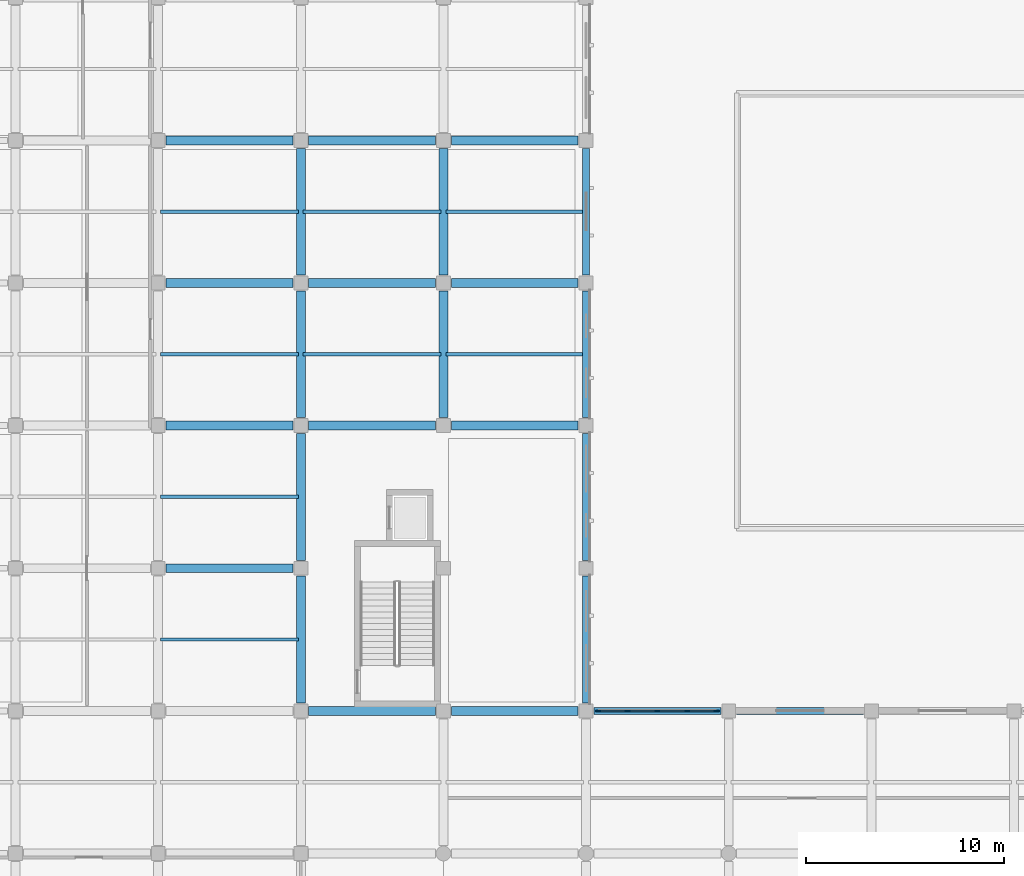
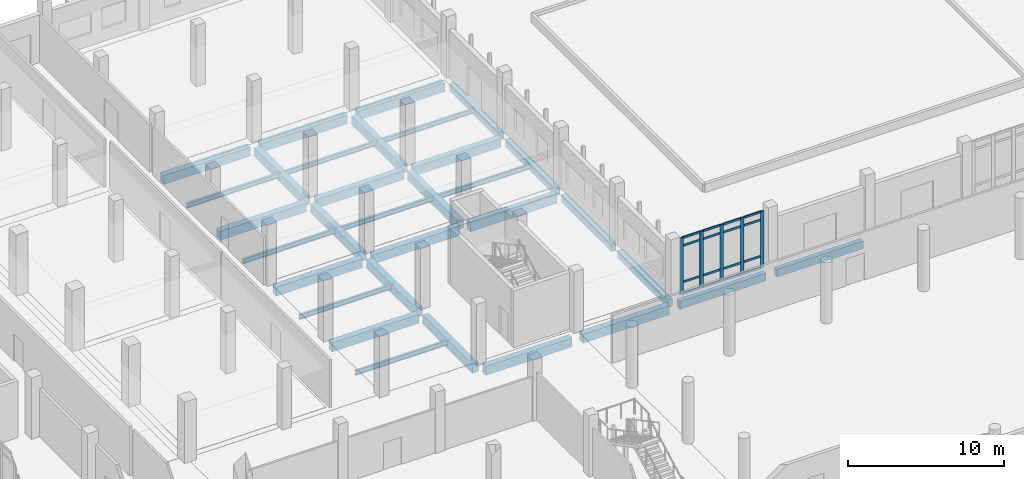
# One storey, part 22 of 59: 32 beams, 21 members, 1 element without a shape of its own.
"""IFC4 building model written with IfcOpenShell, lengths in metres."""

from ifc_helpers import new_model, si_unit, direction, frame, origin, origin_2d, place, context, subcontext, project, spatial, rectangle, i_section, extrude, material, layer, layer_set, material_profile, profile_set, type_object, element, aggregate, save


model = new_model("IFC4")

# Units and contexts
model_context = context("Model", 3, precision=1e-05, world=origin(), true_north=direction((0.0, 1.0)))
body_context = subcontext(model_context, "Body", "Model", "MODEL_VIEW")
ifc_project = project(units=[si_unit("LENGTHUNIT", "METRE"), si_unit("AREAUNIT", "SQUARE_METRE"), si_unit("VOLUMEUNIT", "CUBIC_METRE"), si_unit("PLANEANGLEUNIT", "RADIAN"), si_unit("MASSUNIT", "GRAM", prefix="KILO")], contexts=[model_context])

# Site, building, storey
site_placement = place(None, origin())
site = spatial("IfcSite", under=ifc_project, at=site_placement, CompositionType="ELEMENT")
building_placement = place(site_placement, origin())
building = spatial("IfcBuilding", under=site, at=building_placement, Name="Valkovuoma Quantum and Materials Research Institute", CompositionType="ELEMENT")
storey_placement = place(building_placement, origin())
storey = spatial("IfcBuildingStorey", under=building, at=storey_placement, Name="L00", CompositionType="ELEMENT", Elevation=0.0)

# Beams
ifc_material_1 = material(Name="Steel S355J2", Category="steel")
ifc_material_profile_1 = material_profile(ifc_material_1, i_section(OverallWidth=0.169921875, OverallDepth=0.360107421875, WebThickness=0.008056640625, FlangeThickness=0.0126953125, FilletRadius=0.01806640625, at=origin_2d()), Name="Steel S355J2")
ifc_profile_set_1 = profile_set([ifc_material_profile_1], Name="Steel S355J2")
beam_type_1 = type_object("IfcBeamType", Name="Beam-B-JST360", PredefinedType="JOIST", material=ifc_profile_set_1)
for number, where, z_axis, x_axis, name in (
    (1, (28.919921875, 68.39990234375, -0.580078125), (1.0, 0.0, 0.0), (0.0, 1.0, 0.0), "L00 floor joist 0491"),
    (2, (28.919921875, 75.60009765625, -0.580078125), (1.0, 0.0, 0.0), (0.0, 1.0, 0.0), "L00 floor joist 0498"),
    (3, (28.919921875, 82.800048828125, -0.580078125), (1.0, 0.0, 0.0), (0.0, 1.0, 0.0), "L00 floor joist 0506"),
    (4, (36.1201171875, 82.800048828125, -0.580078125), (1.0, 0.0, 0.0), (0.0, 1.0, 0.0), "L00 floor joist 0507"),
    (5, (43.320068359375, 82.800048828125, -0.580078125), (1.0, 0.0, 0.0), (0.0, 1.0, 0.0), "L00 floor joist 0508"),
    (6, (28.919921875, 90.0, -0.580078125), (1.0, 0.0, 0.0), (0.0, 1.0, 0.0), "L00 floor joist 0517"),
    (7, (36.1201171875, 90.0, -0.580078125), (1.0, 0.0, 0.0), (0.0, 1.0, 0.0), "L00 floor joist 0518"),
    (8, (43.320068359375, 90.0, -0.580078125), (1.0, 0.0, 0.0), (0.0, 1.0, 0.0), "L00 floor joist 0519"),
):
    element("IfcBeam", number, at=place(storey_placement, frame(where, z_axis=z_axis, x_axis=x_axis)), inside=storey, type_object=beam_type_1, Name=name, PredefinedType="JOIST", context=body_context, shape_type="SweptSolid", body=[
        extrude(i_section(OverallWidth=0.169921875, OverallDepth=0.360107421875, WebThickness=0.008056640625, FlangeThickness=0.0126953125, FilletRadius=0.01806640625, at=origin_2d()), origin(), (0.0, 0.0, 1.0), 6.9599609375),
    ])
ifc_material_2 = material(Name="Concrete C40/50", Category="concrete")
ifc_material_profile_2 = material_profile(ifc_material_2, rectangle(XDim=0.449951171875, YDim=0.699951171875, at=origin_2d()), Name="Concrete C40/50")
ifc_profile_set_2 = profile_set([ifc_material_profile_2], Name="Concrete C40/50")
beam_type_2 = type_object("IfcBeamType", Name="Beam-B-RC700", PredefinedType="BEAM", material=ifc_profile_set_2)
beam_1_placement = place(storey_placement, frame((36.39990234375, 64.800048828125, -0.75), z_axis=(1.0, 0.0, 0.0), x_axis=(0.0, 1.0, 0.0)))
element("IfcBeam", 9, at=beam_1_placement, inside=storey, type_object=beam_type_2, Name="L00 beam X-0117", PredefinedType="BEAM", context=body_context, shape_type="SweptSolid", body=[
    extrude(rectangle(XDim=0.449951171875, YDim=0.699951171875, at=origin_2d()), origin(), (0.0, 0.0, 1.0), 6.400146484375),
])
beam_2_placement = place(storey_placement, frame((43.60009765625, 64.800048828125, -0.75), z_axis=(1.0, 0.0, 0.0), x_axis=(0.0, 1.0, 0.0)))
element("IfcBeam", 10, at=beam_2_placement, inside=storey, type_object=beam_type_2, Name="L00 beam X-0118", PredefinedType="BEAM", context=body_context, shape_type="SweptSolid", body=[
    extrude(rectangle(XDim=0.449951171875, YDim=0.699951171875, at=origin_2d()), origin(), (0.0, 0.0, 1.0), 6.39990234375),
])
for number, where, z_axis, x_axis, name in (
    (11, (29.199951171875, 72.0, -0.75), (1.0, 0.0, 0.0), (0.0, 1.0, 0.0), "L00 beam X-0135"),
    (12, (29.199951171875, 79.199951171875, -0.75), (1.0, 0.0, 0.0), (0.0, 1.0, 0.0), "L00 beam X-0143"),
    (13, (36.39990234375, 79.199951171875, -0.75), (1.0, 0.0, 0.0), (0.0, 1.0, 0.0), "L00 beam X-0144"),
):
    element("IfcBeam", number, at=place(storey_placement, frame(where, z_axis=z_axis, x_axis=x_axis)), inside=storey, type_object=beam_type_2, Name=name, PredefinedType="BEAM", context=body_context, shape_type="SweptSolid", body=[
        extrude(rectangle(XDim=0.449951171875, YDim=0.699951171875, at=origin_2d()), origin(), (0.0, 0.0, 1.0), 6.400146484375),
    ])
beam_3_placement = place(storey_placement, frame((43.60009765625, 79.199951171875, -0.75), z_axis=(1.0, 0.0, 0.0), x_axis=(0.0, 1.0, 0.0)))
element("IfcBeam", 14, at=beam_3_placement, inside=storey, type_object=beam_type_2, Name="L00 beam X-0145", PredefinedType="BEAM", context=body_context, shape_type="SweptSolid", body=[
    extrude(rectangle(XDim=0.449951171875, YDim=0.699951171875, at=origin_2d()), origin(), (0.0, 0.0, 1.0), 6.39990234375),
])
for number, where, z_axis, x_axis, name in (
    (15, (29.199951171875, 86.39990234375, -0.75), (1.0, 0.0, 0.0), (0.0, 1.0, 0.0), "L00 beam X-0155"),
    (16, (36.39990234375, 86.39990234375, -0.75), (1.0, 0.0, 0.0), (0.0, 1.0, 0.0), "L00 beam X-0156"),
):
    element("IfcBeam", number, at=place(storey_placement, frame(where, z_axis=z_axis, x_axis=x_axis)), inside=storey, type_object=beam_type_2, Name=name, PredefinedType="BEAM", context=body_context, shape_type="SweptSolid", body=[
        extrude(rectangle(XDim=0.449951171875, YDim=0.699951171875, at=origin_2d()), origin(), (0.0, 0.0, 1.0), 6.400146484375),
    ])
beam_4_placement = place(storey_placement, frame((43.60009765625, 86.39990234375, -0.75), z_axis=(1.0, 0.0, 0.0), x_axis=(0.0, 1.0, 0.0)))
element("IfcBeam", 17, at=beam_4_placement, inside=storey, type_object=beam_type_2, Name="L00 beam X-0157", PredefinedType="BEAM", context=body_context, shape_type="SweptSolid", body=[
    extrude(rectangle(XDim=0.449951171875, YDim=0.699951171875, at=origin_2d()), origin(), (0.0, 0.0, 1.0), 6.39990234375),
])
for number, where, z_axis, x_axis, name in (
    (18, (29.199951171875, 93.60009765625, -0.75), (1.0, 0.0, 0.0), (0.0, 1.0, 0.0), "L00 beam X-0167"),
    (19, (36.39990234375, 93.60009765625, -0.75), (1.0, 0.0, 0.0), (0.0, 1.0, 0.0), "L00 beam X-0168"),
):
    element("IfcBeam", number, at=place(storey_placement, frame(where, z_axis=z_axis, x_axis=x_axis)), inside=storey, type_object=beam_type_2, Name=name, PredefinedType="BEAM", context=body_context, shape_type="SweptSolid", body=[
        extrude(rectangle(XDim=0.449951171875, YDim=0.699951171875, at=origin_2d()), origin(), (0.0, 0.0, 1.0), 6.400146484375),
    ])
beam_5_placement = place(storey_placement, frame((43.60009765625, 93.60009765625, -0.75), z_axis=(1.0, 0.0, 0.0), x_axis=(0.0, 1.0, 0.0)))
element("IfcBeam", 20, at=beam_5_placement, inside=storey, type_object=beam_type_2, Name="L00 beam X-0169", PredefinedType="BEAM", context=body_context, shape_type="SweptSolid", body=[
    extrude(rectangle(XDim=0.449951171875, YDim=0.699951171875, at=origin_2d()), origin(), (0.0, 0.0, 1.0), 6.39990234375),
])
for number, where, z_axis, x_axis, name in (
    (21, (36.0, 65.199951171875, -0.75), (0.0, 1.0, 0.0), (-1.0, 0.0, 0.0), "L00 beam Y-0240"),
    (22, (36.0, 72.39990234375, -0.75), (0.0, 1.0, 0.0), (-1.0, 0.0, 0.0), "L00 beam Y-0241"),
):
    element("IfcBeam", number, at=place(storey_placement, frame(where, z_axis=z_axis, x_axis=x_axis)), inside=storey, type_object=beam_type_2, Name=name, PredefinedType="BEAM", context=body_context, shape_type="SweptSolid", body=[
        extrude(rectangle(XDim=0.449951171875, YDim=0.699951171875, at=origin_2d()), origin(), (0.0, 0.0, 1.0), 6.400146484375),
    ])
for number, where, z_axis, x_axis, name in (
    (23, (36.0, 79.60009765625, -0.75), (0.0, 1.0, 0.0), (-1.0, 0.0, 0.0), "L00 beam Y-0242"),
    (24, (36.0, 86.800048828125, -0.75), (0.0, 1.0, 0.0), (-1.0, 0.0, 0.0), "L00 beam Y-0243"),
    (25, (43.199951171875, 79.60009765625, -0.75), (0.0, 1.0, 0.0), (-1.0, 0.0, 0.0), "L00 beam Y-0248"),
    (26, (43.199951171875, 86.800048828125, -0.75), (0.0, 1.0, 0.0), (-1.0, 0.0, 0.0), "L00 beam Y-0249"),
):
    element("IfcBeam", number, at=place(storey_placement, frame(where, z_axis=z_axis, x_axis=x_axis)), inside=storey, type_object=beam_type_2, Name=name, PredefinedType="BEAM", context=body_context, shape_type="SweptSolid", body=[
        extrude(rectangle(XDim=0.449951171875, YDim=0.699951171875, at=origin_2d()), origin(), (0.0, 0.0, 1.0), 6.39990234375),
    ])
ifc_material_3 = material(Name="Concrete C40/50", Category="concrete")
ifc_material_profile_3 = material_profile(ifc_material_3, rectangle(XDim=0.35009765625, YDim=0.60009765625, at=origin_2d()), Name="Concrete C40/50")
ifc_profile_set_3 = profile_set([ifc_material_profile_3], Name="Concrete C40/50")
beam_type_3 = type_object("IfcBeamType", Name="Beam-B-SPN600", PredefinedType="SPANDREL", material=ifc_profile_set_3)
for number, where, z_axis, x_axis, name in (
    (27, (50.800048828125, 64.800048828125, -0.699951171875), (1.0, 0.0, 0.0), (0.0, 1.0, 0.0), "L00 beam X-0119"),
    (28, (58.0, 64.800048828125, -0.699951171875), (1.0, 0.0, 0.0), (0.0, 1.0, 0.0), "L00 beam X-0120"),
):
    element("IfcBeam", number, at=place(storey_placement, frame(where, z_axis=z_axis, x_axis=x_axis)), inside=storey, type_object=beam_type_3, Name=name, PredefinedType="SPANDREL", context=body_context, shape_type="SweptSolid", body=[
        extrude(rectangle(XDim=0.35009765625, YDim=0.60009765625, at=origin_2d()), origin(), (0.0, 0.0, 1.0), 6.39990234375),
    ])
for number, where, z_axis, x_axis, name in (
    (29, (50.39990234375, 65.199951171875, -0.699951171875), (0.0, 1.0, 0.0), (-1.0, 0.0, 0.0), "L00 beam Y-0256"),
    (30, (50.39990234375, 72.39990234375, -0.699951171875), (0.0, 1.0, 0.0), (-1.0, 0.0, 0.0), "L00 beam Y-0257"),
):
    element("IfcBeam", number, at=place(storey_placement, frame(where, z_axis=z_axis, x_axis=x_axis)), inside=storey, type_object=beam_type_3, Name=name, PredefinedType="SPANDREL", context=body_context, shape_type="SweptSolid", body=[
        extrude(rectangle(XDim=0.35009765625, YDim=0.60009765625, at=origin_2d()), origin(), (0.0, 0.0, 1.0), 6.400146484375),
    ])
for number, where, z_axis, x_axis, name in (
    (31, (50.39990234375, 79.60009765625, -0.699951171875), (0.0, 1.0, 0.0), (-1.0, 0.0, 0.0), "L00 beam Y-0258"),
    (32, (50.39990234375, 86.800048828125, -0.699951171875), (0.0, 1.0, 0.0), (-1.0, 0.0, 0.0), "L00 beam Y-0259"),
):
    element("IfcBeam", number, at=place(storey_placement, frame(where, z_axis=z_axis, x_axis=x_axis)), inside=storey, type_object=beam_type_3, Name=name, PredefinedType="SPANDREL", context=body_context, shape_type="SweptSolid", body=[
        extrude(rectangle(XDim=0.35009765625, YDim=0.60009765625, at=origin_2d()), origin(), (0.0, 0.0, 1.0), 6.39990234375),
    ])

# Curtain wall, members
ifc_material_4 = material(Name="Thermally broken aluminium and triple low-E glazing", Category="aluminium")
ifc_layer = layer(ifc_material_4, 0.219970703125)
ifc_layer_set = layer_set([ifc_layer], Name="Thermally broken aluminium and triple low-E glazing")
curtain_wall_type = type_object("IfcCurtainWallType", Name="CW-CW-02", PredefinedType="NOTDEFINED", material=ifc_layer_set)
curtain_wall_placement = place(storey_placement, origin())
curtain_wall = element("IfcCurtainWall", 33, at=curtain_wall_placement, inside=storey, type_object=curtain_wall_type, Name="L00 curtain wall 155", PredefinedType="NOTDEFINED")
ifc_material_5 = material(Name="Anodised aluminium 6060-T66", Category="aluminium")
ifc_material_profile_4 = material_profile(ifc_material_5, rectangle(XDim=0.080078125, YDim=0.260009765625, at=origin_2d()), Name="Anodised aluminium 6060-T66")
ifc_profile_set_4 = profile_set([ifc_material_profile_4], Name="Anodised aluminium 6060-T66")
member_type_1 = type_object("IfcMemberType", Name="CWMull-CWM-03", PredefinedType="MULLION", material=ifc_profile_set_4)
member_1_placement = place(storey_placement, frame((51.02001953125, 64.800048828125, 0.0), z_axis=(0.0, 0.0, 1.0), x_axis=(0.0, 1.0, 0.0)))
member_1 = element("IfcMember", 34, at=member_1_placement, type_object=member_type_1, Name="CW-02 mullion 1", PredefinedType="MULLION", context=body_context, shape_type="SweptSolid", body=[
    extrude(rectangle(XDim=0.080078125, YDim=0.260009765625, at=origin_2d()), origin(), (0.0, 0.0, 1.0), 4.449951171875),
])
member_2_placement = place(storey_placement, frame((52.489990234375, 64.800048828125, 0.0), z_axis=(0.0, 0.0, 1.0), x_axis=(0.0, 1.0, 0.0)))
member_2 = element("IfcMember", 35, at=member_2_placement, type_object=member_type_1, Name="CW-02 mullion 2", PredefinedType="MULLION", context=body_context, shape_type="SweptSolid", body=[
    extrude(rectangle(XDim=0.080078125, YDim=0.260009765625, at=origin_2d()), origin(), (0.0, 0.0, 1.0), 4.449951171875),
])
member_3_placement = place(storey_placement, frame((54.0, 64.800048828125, 0.0), z_axis=(0.0, 0.0, 1.0), x_axis=(0.0, 1.0, 0.0)))
member_3 = element("IfcMember", 36, at=member_3_placement, type_object=member_type_1, Name="CW-02 mullion 3", PredefinedType="MULLION", context=body_context, shape_type="SweptSolid", body=[
    extrude(rectangle(XDim=0.080078125, YDim=0.260009765625, at=origin_2d()), origin(), (0.0, 0.0, 1.0), 4.449951171875),
])
member_4_placement = place(storey_placement, frame((55.510009765625, 64.800048828125, 0.0), z_axis=(0.0, 0.0, 1.0), x_axis=(0.0, 1.0, 0.0)))
member_4 = element("IfcMember", 37, at=member_4_placement, type_object=member_type_1, Name="CW-02 mullion 4", PredefinedType="MULLION", context=body_context, shape_type="SweptSolid", body=[
    extrude(rectangle(XDim=0.080078125, YDim=0.260009765625, at=origin_2d()), origin(), (0.0, 0.0, 1.0), 4.449951171875),
])
member_5_placement = place(storey_placement, frame((56.97998046875, 64.800048828125, 0.0), z_axis=(0.0, 0.0, 1.0), x_axis=(0.0, 1.0, 0.0)))
member_5 = element("IfcMember", 38, at=member_5_placement, type_object=member_type_1, Name="CW-02 mullion 5", PredefinedType="MULLION", context=body_context, shape_type="SweptSolid", body=[
    extrude(rectangle(XDim=0.080078125, YDim=0.260009765625, at=origin_2d()), origin(), (0.0, 0.0, 1.0), 4.449951171875),
])
ifc_material_6 = material(Name="Anodised aluminium 6060-T66", Category="aluminium")
ifc_material_profile_5 = material_profile(ifc_material_6, rectangle(XDim=0.074951171875, YDim=0.159912109375, at=origin_2d()), Name="Anodised aluminium 6060-T66")
ifc_profile_set_5 = profile_set([ifc_material_profile_5], Name="Anodised aluminium 6060-T66")
member_type_2 = type_object("IfcMemberType", Name="CWTran-CWT-02", PredefinedType="USERDEFINED", material=ifc_profile_set_5)
member_6_placement = place(storey_placement, frame((51.06005859375, 64.800048828125, 0.03759765625), z_axis=(1.0, 0.0, 0.0), x_axis=(0.0, 1.0, 0.0)))
member_6 = element("IfcMember", 39, at=member_6_placement, type_object=member_type_2, Name="CW-02 transom 1.1", ObjectType="TRANSOM", PredefinedType="USERDEFINED", context=body_context, shape_type="SweptSolid", body=[
    extrude(rectangle(XDim=0.074951171875, YDim=0.159912109375, at=origin_2d()), origin(), (0.0, 0.0, 1.0), 1.389892578125),
])
member_7_placement = place(storey_placement, frame((51.06005859375, 64.800048828125, 0.949951171875), z_axis=(1.0, 0.0, 0.0), x_axis=(0.0, 1.0, 0.0)))
member_7 = element("IfcMember", 40, at=member_7_placement, type_object=member_type_2, Name="CW-02 transom 1.2", ObjectType="TRANSOM", PredefinedType="USERDEFINED", context=body_context, shape_type="SweptSolid", body=[
    extrude(rectangle(XDim=0.074951171875, YDim=0.159912109375, at=origin_2d()), origin(), (0.0, 0.0, 1.0), 1.389892578125),
])
member_8_placement = place(storey_placement, frame((51.06005859375, 64.800048828125, 3.800048828125), z_axis=(1.0, 0.0, 0.0), x_axis=(0.0, 1.0, 0.0)))
member_8 = element("IfcMember", 41, at=member_8_placement, type_object=member_type_2, Name="CW-02 transom 1.3", ObjectType="TRANSOM", PredefinedType="USERDEFINED", context=body_context, shape_type="SweptSolid", body=[
    extrude(rectangle(XDim=0.074951171875, YDim=0.159912109375, at=origin_2d()), origin(), (0.0, 0.0, 1.0), 1.389892578125),
])
member_9_placement = place(storey_placement, frame((51.06005859375, 64.800048828125, 4.41259765625), z_axis=(1.0, 0.0, 0.0), x_axis=(0.0, 1.0, 0.0)))
member_9 = element("IfcMember", 42, at=member_9_placement, type_object=member_type_2, Name="CW-02 transom 1.4", ObjectType="TRANSOM", PredefinedType="USERDEFINED", context=body_context, shape_type="SweptSolid", body=[
    extrude(rectangle(XDim=0.074951171875, YDim=0.159912109375, at=origin_2d()), origin(), (0.0, 0.0, 1.0), 1.389892578125),
])
member_10_placement = place(storey_placement, frame((52.530029296875, 64.800048828125, 0.03759765625), z_axis=(1.0, 0.0, 0.0), x_axis=(0.0, 1.0, 0.0)))
member_10 = element("IfcMember", 43, at=member_10_placement, type_object=member_type_2, Name="CW-02 transom 2.1", ObjectType="TRANSOM", PredefinedType="USERDEFINED", context=body_context, shape_type="SweptSolid", body=[
    extrude(rectangle(XDim=0.074951171875, YDim=0.159912109375, at=origin_2d()), origin(), (0.0, 0.0, 1.0), 1.429931640625),
])
member_11_placement = place(storey_placement, frame((52.530029296875, 64.800048828125, 0.949951171875), z_axis=(1.0, 0.0, 0.0), x_axis=(0.0, 1.0, 0.0)))
member_11 = element("IfcMember", 44, at=member_11_placement, type_object=member_type_2, Name="CW-02 transom 2.2", ObjectType="TRANSOM", PredefinedType="USERDEFINED", context=body_context, shape_type="SweptSolid", body=[
    extrude(rectangle(XDim=0.074951171875, YDim=0.159912109375, at=origin_2d()), origin(), (0.0, 0.0, 1.0), 1.429931640625),
])
member_12_placement = place(storey_placement, frame((52.530029296875, 64.800048828125, 3.800048828125), z_axis=(1.0, 0.0, 0.0), x_axis=(0.0, 1.0, 0.0)))
member_12 = element("IfcMember", 45, at=member_12_placement, type_object=member_type_2, Name="CW-02 transom 2.3", ObjectType="TRANSOM", PredefinedType="USERDEFINED", context=body_context, shape_type="SweptSolid", body=[
    extrude(rectangle(XDim=0.074951171875, YDim=0.159912109375, at=origin_2d()), origin(), (0.0, 0.0, 1.0), 1.429931640625),
])
member_13_placement = place(storey_placement, frame((52.530029296875, 64.800048828125, 4.41259765625), z_axis=(1.0, 0.0, 0.0), x_axis=(0.0, 1.0, 0.0)))
member_13 = element("IfcMember", 46, at=member_13_placement, type_object=member_type_2, Name="CW-02 transom 2.4", ObjectType="TRANSOM", PredefinedType="USERDEFINED", context=body_context, shape_type="SweptSolid", body=[
    extrude(rectangle(XDim=0.074951171875, YDim=0.159912109375, at=origin_2d()), origin(), (0.0, 0.0, 1.0), 1.429931640625),
])
member_14_placement = place(storey_placement, frame((54.0400390625, 64.800048828125, 0.03759765625), z_axis=(1.0, 0.0, 0.0), x_axis=(0.0, 1.0, 0.0)))
member_14 = element("IfcMember", 47, at=member_14_placement, type_object=member_type_2, Name="CW-02 transom 3.1", ObjectType="TRANSOM", PredefinedType="USERDEFINED", context=body_context, shape_type="SweptSolid", body=[
    extrude(rectangle(XDim=0.074951171875, YDim=0.159912109375, at=origin_2d()), origin(), (0.0, 0.0, 1.0), 1.429931640625),
])
member_15_placement = place(storey_placement, frame((54.0400390625, 64.800048828125, 0.949951171875), z_axis=(1.0, 0.0, 0.0), x_axis=(0.0, 1.0, 0.0)))
member_15 = element("IfcMember", 48, at=member_15_placement, type_object=member_type_2, Name="CW-02 transom 3.2", ObjectType="TRANSOM", PredefinedType="USERDEFINED", context=body_context, shape_type="SweptSolid", body=[
    extrude(rectangle(XDim=0.074951171875, YDim=0.159912109375, at=origin_2d()), origin(), (0.0, 0.0, 1.0), 1.429931640625),
])
member_16_placement = place(storey_placement, frame((54.0400390625, 64.800048828125, 3.800048828125), z_axis=(1.0, 0.0, 0.0), x_axis=(0.0, 1.0, 0.0)))
member_16 = element("IfcMember", 49, at=member_16_placement, type_object=member_type_2, Name="CW-02 transom 3.3", ObjectType="TRANSOM", PredefinedType="USERDEFINED", context=body_context, shape_type="SweptSolid", body=[
    extrude(rectangle(XDim=0.074951171875, YDim=0.159912109375, at=origin_2d()), origin(), (0.0, 0.0, 1.0), 1.429931640625),
])
member_17_placement = place(storey_placement, frame((54.0400390625, 64.800048828125, 4.41259765625), z_axis=(1.0, 0.0, 0.0), x_axis=(0.0, 1.0, 0.0)))
member_17 = element("IfcMember", 50, at=member_17_placement, type_object=member_type_2, Name="CW-02 transom 3.4", ObjectType="TRANSOM", PredefinedType="USERDEFINED", context=body_context, shape_type="SweptSolid", body=[
    extrude(rectangle(XDim=0.074951171875, YDim=0.159912109375, at=origin_2d()), origin(), (0.0, 0.0, 1.0), 1.429931640625),
])
member_18_placement = place(storey_placement, frame((55.550048828125, 64.800048828125, 0.03759765625), z_axis=(1.0, 0.0, 0.0), x_axis=(0.0, 1.0, 0.0)))
member_18 = element("IfcMember", 51, at=member_18_placement, type_object=member_type_2, Name="CW-02 transom 4.1", ObjectType="TRANSOM", PredefinedType="USERDEFINED", context=body_context, shape_type="SweptSolid", body=[
    extrude(rectangle(XDim=0.074951171875, YDim=0.159912109375, at=origin_2d()), origin(), (0.0, 0.0, 1.0), 1.389892578125),
])
member_19_placement = place(storey_placement, frame((55.550048828125, 64.800048828125, 0.949951171875), z_axis=(1.0, 0.0, 0.0), x_axis=(0.0, 1.0, 0.0)))
member_19 = element("IfcMember", 52, at=member_19_placement, type_object=member_type_2, Name="CW-02 transom 4.2", ObjectType="TRANSOM", PredefinedType="USERDEFINED", context=body_context, shape_type="SweptSolid", body=[
    extrude(rectangle(XDim=0.074951171875, YDim=0.159912109375, at=origin_2d()), origin(), (0.0, 0.0, 1.0), 1.389892578125),
])
member_20_placement = place(storey_placement, frame((55.550048828125, 64.800048828125, 3.800048828125), z_axis=(1.0, 0.0, 0.0), x_axis=(0.0, 1.0, 0.0)))
member_20 = element("IfcMember", 53, at=member_20_placement, type_object=member_type_2, Name="CW-02 transom 4.3", ObjectType="TRANSOM", PredefinedType="USERDEFINED", context=body_context, shape_type="SweptSolid", body=[
    extrude(rectangle(XDim=0.074951171875, YDim=0.159912109375, at=origin_2d()), origin(), (0.0, 0.0, 1.0), 1.389892578125),
])
member_21_placement = place(storey_placement, frame((55.550048828125, 64.800048828125, 4.41259765625), z_axis=(1.0, 0.0, 0.0), x_axis=(0.0, 1.0, 0.0)))
member_21 = element("IfcMember", 54, at=member_21_placement, type_object=member_type_2, Name="CW-02 transom 4.4", ObjectType="TRANSOM", PredefinedType="USERDEFINED", context=body_context, shape_type="SweptSolid", body=[
    extrude(rectangle(XDim=0.074951171875, YDim=0.159912109375, at=origin_2d()), origin(), (0.0, 0.0, 1.0), 1.389892578125),
])
aggregate(curtain_wall, [member_1, member_2, member_3, member_4, member_5, member_6, member_7, member_8, member_9, member_10, member_11, member_12, member_13, member_14, member_15, member_16, member_17, member_18, member_19, member_20, member_21])

save(model, "model.ifc")
